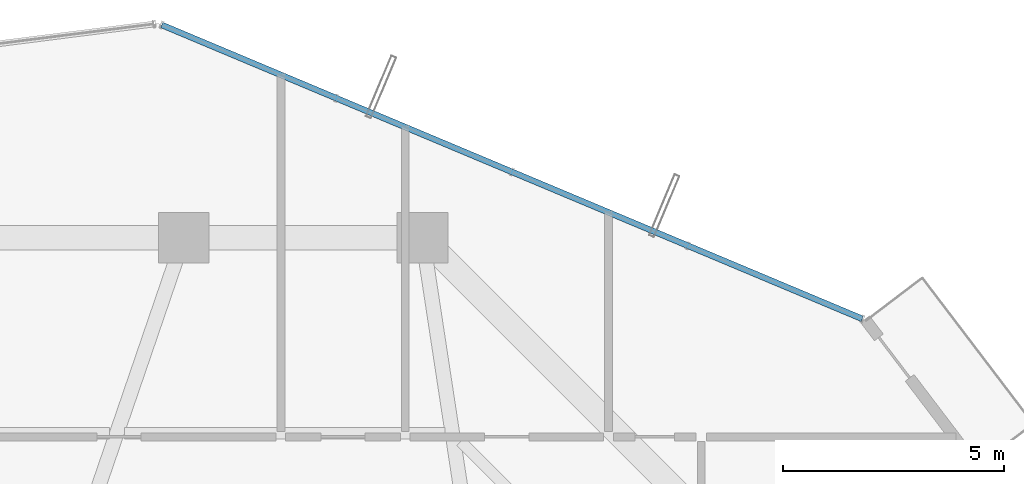
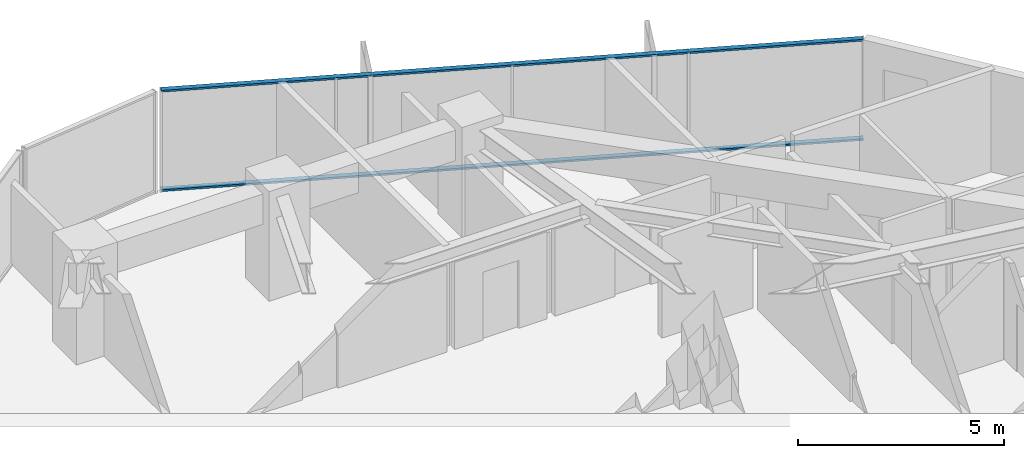
# One storey, part 24 of 33: 2 members, 1 element without a shape of its own.
"""IFC4 building model written with IfcOpenShell, lengths in metres."""

from ifc_helpers import new_model, si_unit, direction, frame, origin, origin_2d, place, context, subcontext, project, spatial, hollow_rectangle, extrude, source, transform, mapped, material, layer, layer_set, material_profile, profile_set, type_object, element, aggregate, save


model = new_model("IFC4")

# Units and contexts
model_context = context("Model", 3, precision=1e-05, world=origin(), true_north=direction((0.0, 1.0)))
body_context = subcontext(model_context, "Body", "Model", "MODEL_VIEW")
ifc_project = project(units=[si_unit("LENGTHUNIT", "METRE"), si_unit("AREAUNIT", "SQUARE_METRE"), si_unit("VOLUMEUNIT", "CUBIC_METRE"), si_unit("PLANEANGLEUNIT", "RADIAN"), si_unit("MASSUNIT", "GRAM", prefix="KILO")], contexts=[model_context])

# Site, building, storey
site_placement = place(None, origin())
site = spatial("IfcSite", under=ifc_project, at=site_placement, CompositionType="ELEMENT")
building_placement = place(site_placement, origin())
building = spatial("IfcBuilding", under=site, at=building_placement, Name="Veraguas Prism Commons", CompositionType="ELEMENT")
storey_placement = place(building_placement, frame((0.0, 0.0, 152.25)))
storey = spatial("IfcBuildingStorey", under=building, at=storey_placement, Name="L43", CompositionType="ELEMENT", Elevation=152.25)

# Curtain wall, members
ifc_material = material(Name="Anodised aluminium EN AW-6063 T6", Category="aluminium")
ifc_layer = layer(ifc_material, 0.169921875, Name="Unitised Flush Curtain Wall Zone 2", Category="aluminium")
ifc_layer_set = layer_set([ifc_layer], Name="Anodised aluminium EN AW-6063 T6")
curtain_wall_type = type_object("IfcCurtainWallType", Name="Unitised Flush Curtain Wall Zone 2", PredefinedType="NOTDEFINED", material=ifc_layer_set)
curtain_wall_placement = place(storey_placement, origin())
curtain_wall = element("IfcCurtainWall", 1, at=curtain_wall_placement, inside=storey, type_object=curtain_wall_type, Name="Tower Facade Curtain Wall L43-F1", PredefinedType="NOTDEFINED")
ifc_material_profile = material_profile(ifc_material, hollow_rectangle(XDim=0.054931640625, YDim=0.135009765625, WallThickness=0.0029296875, at=origin_2d()), Name="AL55X135X3")
ifc_profile_set = profile_set([ifc_material_profile], Name="Anodised aluminium EN AW-6063 T6")
member_type = type_object("IfcMemberType", Name="Curtain Wall Transom Standard AL 55x135x3", PredefinedType="USERDEFINED", material=ifc_profile_set)
shared_shape = source(origin(), body_context, "Body", "SweptSolid", [
    extrude(hollow_rectangle(XDim=0.054931640625, YDim=0.135009765625, WallThickness=0.0029296875, at=origin_2d()), origin(), (0.0, 0.0, 1.0), 17.174560546875),
])
member_1_placement = place(storey_placement, frame((39.33984375, 38.36669921875, 0.027587890625), z_axis=(-0.922134188242, 0.386870183493, 0.0), x_axis=(0.0, 0.0, 1.0)))
member_1 = element("IfcMember", 2, at=member_1_placement, type_object=member_type, Name="CW-Z2 Transom 1", ObjectType="TRANSOM", PredefinedType="USERDEFINED", context=body_context, shape_type="MappedRepresentation", body=[
    mapped(shared_shape, transform((0.0, 0.0, 0.0), scale=1.0)),
])
member_2_placement = place(storey_placement, frame((39.33984375, 38.36669921875, 2.972412109375), z_axis=(-0.922134188242, 0.386870183493, 0.0), x_axis=(0.0, 0.0, 1.0)))
member_2 = element("IfcMember", 3, at=member_2_placement, type_object=member_type, Name="CW-Z2 Transom 2", ObjectType="TRANSOM", PredefinedType="USERDEFINED", context=body_context, shape_type="MappedRepresentation", body=[
    mapped(shared_shape, transform((0.0, 0.0, 0.0), scale=1.0)),
])
aggregate(curtain_wall, [member_1, member_2])

save(model, "model.ifc")
